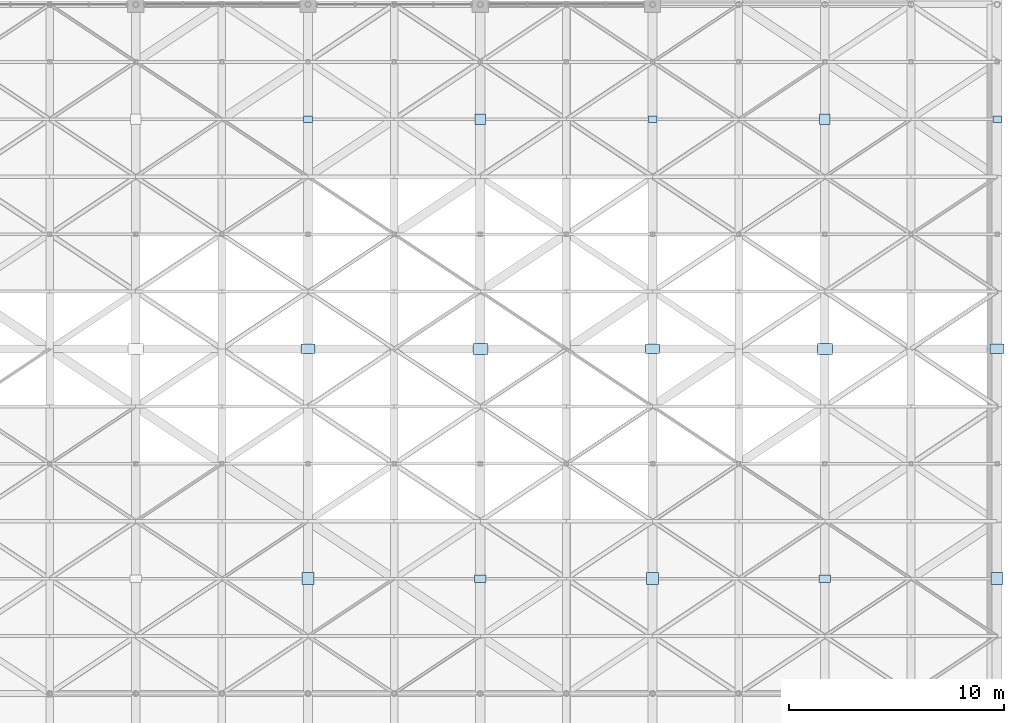
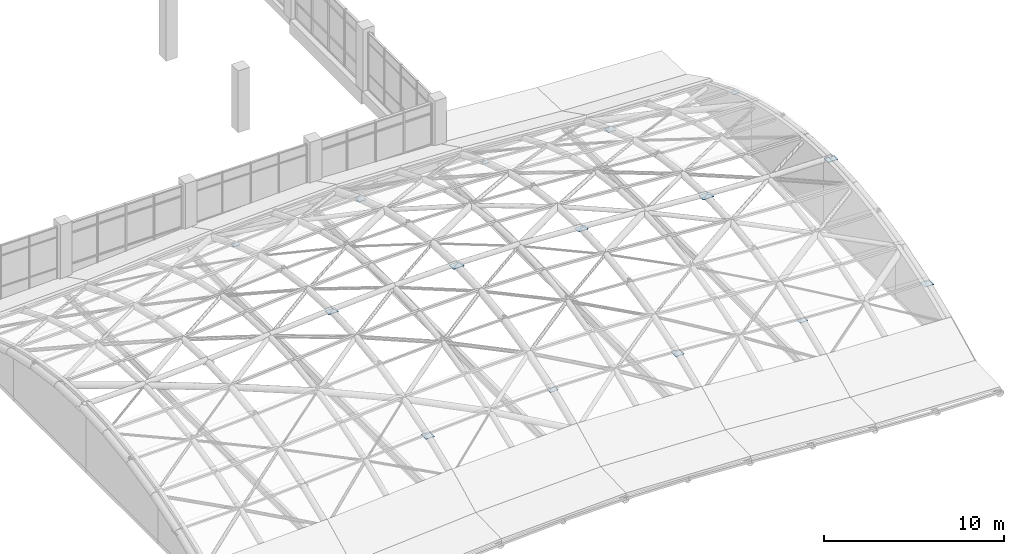
# One storey, part 62 of 72: 15 plates.
"""IFC4 building model written with IfcOpenShell, lengths in metres."""

from ifc_helpers import new_model, si_unit, direction, frame, origin, origin_2d, place, context, subcontext, project, spatial, rectangle, extrude, material, layer, layer_set, type_object, element, save


model = new_model("IFC4")

# Units and contexts
model_context = context("Model", 3, precision=1e-05, world=origin(), true_north=direction((0.0, 1.0)))
body_context = subcontext(model_context, "Body", "Model", "MODEL_VIEW")
ifc_project = project(units=[si_unit("LENGTHUNIT", "METRE"), si_unit("AREAUNIT", "SQUARE_METRE"), si_unit("VOLUMEUNIT", "CUBIC_METRE"), si_unit("PLANEANGLEUNIT", "RADIAN"), si_unit("MASSUNIT", "GRAM", prefix="KILO")], contexts=[model_context])

# Site, building, storey
site_placement = place(None, origin())
site = spatial("IfcSite", under=ifc_project, at=site_placement, CompositionType="ELEMENT")
building_placement = place(site_placement, origin())
building = spatial("IfcBuilding", under=site, at=building_placement, Name="Tenunan Teduh Sports Hall", CompositionType="ELEMENT")
storey_placement = place(building_placement, frame((0.0, 0.0, 15.0)))
storey = spatial("IfcBuildingStorey", under=building, at=storey_placement, Name="L03", CompositionType="ELEMENT", Elevation=15.0)

# Plates
ifc_material_1 = material(Name="Steel S355", Category="steel")
ifc_layer_1 = layer(ifc_material_1, 0.02001953125)
ifc_layer_set_1 = layer_set([ifc_layer_1], Name="Steel S355")
plate_type_1 = type_object("IfcPlateType", Name="PLT-GUS-1", PredefinedType="SHEET", material=ifc_layer_set_1)
for number, where, z_axis, x_axis, name in (
    (1, (146.0, 40.666748046875, 3.254638671875), (0.0, 0.0, 1.0), (1.0, 0.0, 0.0), "PLT-L03-012"),
    (2, (162.0, 40.666748046875, 2.356201171875), (0.0, 0.0, 1.0), (1.0, 0.0, 0.0), "PLT-L03-018"),
):
    element("IfcPlate", number, at=place(storey_placement, frame(where, z_axis=z_axis, x_axis=x_axis)), inside=storey, type_object=plate_type_1, Name=name, PredefinedType="SHEET", context=body_context, shape_type="SweptSolid", body=[
        extrude(rectangle(XDim=0.47998046875, YDim=0.47998046875, at=origin_2d()), origin(), (0.0, 0.0, 1.0), 0.02001953125),
    ])
ifc_material_2 = material(Name="Steel S355", Category="steel")
ifc_layer_2 = layer(ifc_material_2, 0.02392578125)
ifc_layer_set_2 = layer_set([ifc_layer_2], Name="Steel S355")
plate_type_2 = type_object("IfcPlateType", Name="PLT-GUS-2", PredefinedType="SHEET", material=ifc_layer_set_2)
for number, where, z_axis, x_axis, name in (
    (3, (138.0, 19.333251953125, 2.951904296875), (0.0, 0.0, 1.0), (1.0, 0.0, 0.0), "PLT-L03-007"),
    (4, (154.0, 19.333251953125, 2.951904296875), (0.0, 0.0, 1.0), (1.0, 0.0, 0.0), "PLT-L03-013"),
    (5, (170.0, 19.333251953125, 2.053466796875), (0.0, 0.0, 1.0), (1.0, 0.0, 0.0), "PLT-L03-019"),
):
    element("IfcPlate", number, at=place(storey_placement, frame(where, z_axis=z_axis, x_axis=x_axis)), inside=storey, type_object=plate_type_2, Name=name, PredefinedType="SHEET", context=body_context, shape_type="SweptSolid", body=[
        extrude(rectangle(XDim=0.56005859375, YDim=0.56005859375, at=origin_2d()), origin(), (0.0, 0.0, 1.0), 0.02392578125),
    ])
ifc_material_3 = material(Name="Steel S355", Category="steel")
ifc_layer_3 = layer(ifc_material_3, 0.02197265625)
ifc_layer_set_3 = layer_set([ifc_layer_3], Name="Steel S355")
plate_type_3 = type_object("IfcPlateType", Name="PLT-GUS-3", PredefinedType="SHEET", material=ifc_layer_set_3)
for number, where, z_axis, x_axis, name in (
    (6, (138.0, 30.0, 4.906005859375), (0.0, 0.0, 1.0), (1.0, 0.0, 0.0), "PLT-L03-008"),
    (7, (154.0, 30.0, 4.906005859375), (0.0, 0.0, 1.0), (1.0, 0.0, 0.0), "PLT-L03-014"),
    (8, (170.0, 30.0, 4.007568359375), (0.0, 0.0, 1.0), (1.0, 0.0, 0.0), "PLT-L03-020"),
):
    element("IfcPlate", number, at=place(storey_placement, frame(where, z_axis=z_axis, x_axis=x_axis)), inside=storey, type_object=plate_type_3, Name=name, PredefinedType="SHEET", context=body_context, shape_type="SweptSolid", body=[
        extrude(rectangle(XDim=0.639892578125, YDim=0.43994140625, at=origin_2d()), origin(), (0.0, 0.0, 1.0), 0.02197265625),
    ])
ifc_material_4 = material(Name="Steel S355", Category="steel")
ifc_layer_4 = layer(ifc_material_4, 0.01611328125)
ifc_layer_set_4 = layer_set([ifc_layer_4], Name="Steel S355")
plate_type_4 = type_object("IfcPlateType", Name="PLT-GUS-4", PredefinedType="SHEET", material=ifc_layer_set_4)
for number, where, z_axis, x_axis, name in (
    (9, (138.0, 40.666748046875, 2.955810546875), (0.0, 0.0, 1.0), (1.0, 0.0, 0.0), "PLT-L03-009"),
    (10, (154.0, 40.666748046875, 2.955810546875), (0.0, 0.0, 1.0), (1.0, 0.0, 0.0), "PLT-L03-015"),
    (11, (170.0, 40.666748046875, 2.057373046875), (0.0, 0.0, 1.0), (1.0, 0.0, 0.0), "PLT-L03-021"),
):
    element("IfcPlate", number, at=place(storey_placement, frame(where, z_axis=z_axis, x_axis=x_axis)), inside=storey, type_object=plate_type_4, Name=name, PredefinedType="SHEET", context=body_context, shape_type="SweptSolid", body=[
        extrude(rectangle(XDim=0.39990234375, YDim=0.320068359375, at=origin_2d()), origin(), (0.0, 0.0, 1.0), 0.01611328125),
    ])
ifc_material_5 = material(Name="Steel S355", Category="steel")
ifc_layer_5 = layer(ifc_material_5, 0.01806640625)
ifc_layer_set_5 = layer_set([ifc_layer_5], Name="Steel S355")
plate_type_5 = type_object("IfcPlateType", Name="PLT-GUS-5", PredefinedType="SHEET", material=ifc_layer_set_5)
for number, where, z_axis, x_axis, name in (
    (12, (146.0, 19.333251953125, 3.255615234375), (0.0, 0.0, 1.0), (1.0, 0.0, 0.0), "PLT-L03-010"),
    (13, (162.0, 19.333251953125, 2.357177734375), (0.0, 0.0, 1.0), (1.0, 0.0, 0.0), "PLT-L03-016"),
):
    element("IfcPlate", number, at=place(storey_placement, frame(where, z_axis=z_axis, x_axis=x_axis)), inside=storey, type_object=plate_type_5, Name=name, PredefinedType="SHEET", context=body_context, shape_type="SweptSolid", body=[
        extrude(rectangle(XDim=0.52001953125, YDim=0.360107421875, at=origin_2d()), origin(), (0.0, 0.0, 1.0), 0.01806640625),
    ])
ifc_material_6 = material(Name="Steel S355", Category="steel")
ifc_layer_6 = layer(ifc_material_6, 0.028076171875)
ifc_layer_set_6 = layer_set([ifc_layer_6], Name="Steel S355")
plate_type_6 = type_object("IfcPlateType", Name="PLT-GUS-6", PredefinedType="SHEET", material=ifc_layer_set_6)
for number, where, z_axis, x_axis, name in (
    (14, (146.0, 30.0, 5.20361328125), (0.0, 0.0, 1.0), (1.0, 0.0, 0.0), "PLT-L03-011"),
    (15, (162.0, 30.0, 4.30517578125), (0.0, 0.0, 1.0), (1.0, 0.0, 0.0), "PLT-L03-017"),
):
    element("IfcPlate", number, at=place(storey_placement, frame(where, z_axis=z_axis, x_axis=x_axis)), inside=storey, type_object=plate_type_6, Name=name, PredefinedType="SHEET", context=body_context, shape_type="SweptSolid", body=[
        extrude(rectangle(XDim=0.699951171875, YDim=0.5, at=origin_2d()), origin(), (0.0, 0.0, 1.0), 0.028076171875),
    ])

save(model, "model.ifc")
